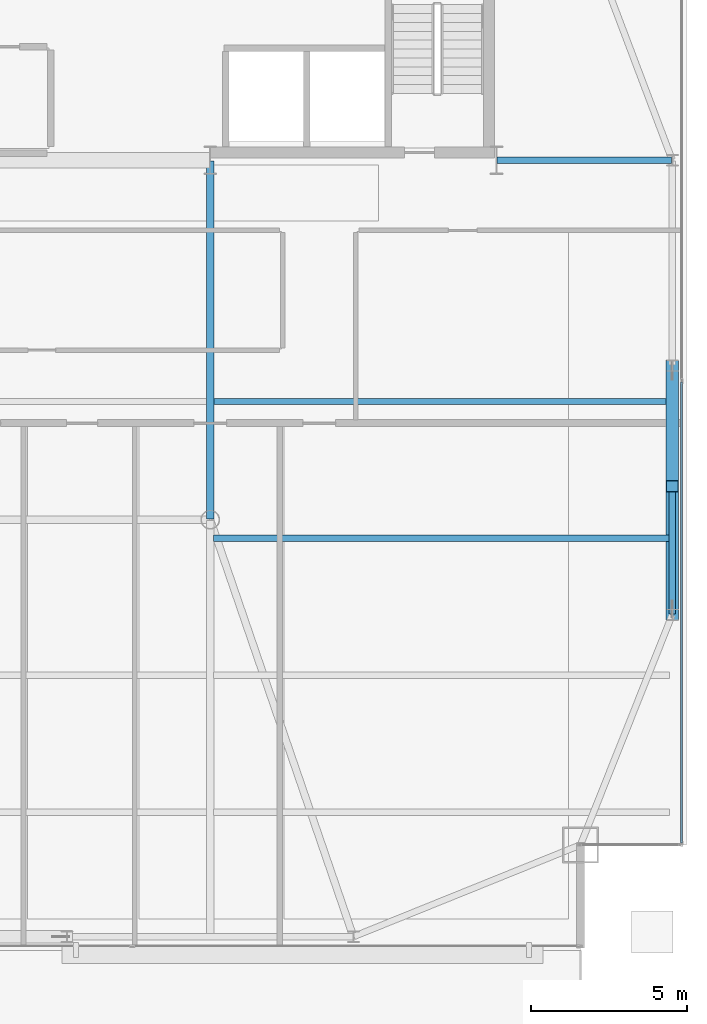
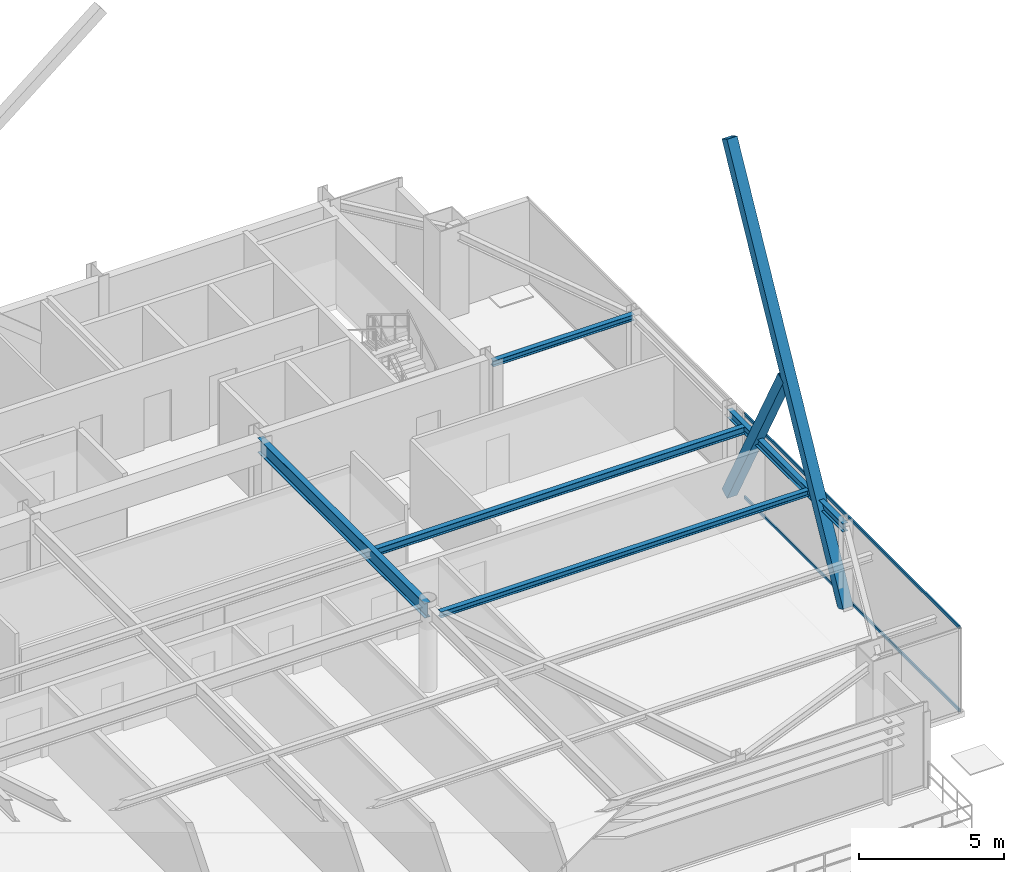
# One storey, part 19 of 33: 5 beams, 4 members, 1 element without a shape of its own.
"""IFC4 building model written with IfcOpenShell, lengths in metres."""

from ifc_helpers import new_model, si_unit, direction, frame, origin, origin_2d, place, context, subcontext, project, spatial, hollow_rectangle, i_section, extrude, source, transform, mapped, material, layer, layer_set, material_profile, profile_set, type_object, type_shapes, element, aggregate, save


model = new_model("IFC4")

# Units and contexts
model_context = context("Model", 3, precision=1e-05, world=origin(), true_north=direction((0.0, 1.0)))
body_context = subcontext(model_context, "Body", "Model", "MODEL_VIEW")
ifc_project = project(units=[si_unit("LENGTHUNIT", "METRE"), si_unit("AREAUNIT", "SQUARE_METRE"), si_unit("VOLUMEUNIT", "CUBIC_METRE"), si_unit("PLANEANGLEUNIT", "RADIAN"), si_unit("MASSUNIT", "GRAM", prefix="KILO")], contexts=[model_context])

# Site, building, storey
site_placement = place(None, origin())
site = spatial("IfcSite", under=ifc_project, at=site_placement, CompositionType="ELEMENT")
building_placement = place(site_placement, origin())
building = spatial("IfcBuilding", under=site, at=building_placement, Name="Varnel Quay Broadcast Tower", CompositionType="ELEMENT")
storey_placement = place(building_placement, frame((0.0, 0.0, 199.800048828125)))
storey = spatial("IfcBuildingStorey", under=building, at=storey_placement, Name="L49", CompositionType="ELEMENT", Elevation=199.800048828125)

# Beams
ifc_material_1 = material(Name="Structural Steel CSA G40.21 350W", Category="steel")
ifc_material_profile_1 = material_profile(ifc_material_1, i_section(OverallWidth=0.205078125, OverallDepth=0.35400390625, WebThickness=0.009521484375, FlangeThickness=0.016845703125, FilletRadius=0.012939453125, at=origin_2d()), Name="W360X79")
ifc_profile_set_1 = profile_set([ifc_material_profile_1], Name="Structural Steel CSA G40.21 350W")
beam_type_1 = type_object("IfcBeamType", Name="Beam_W360X79", PredefinedType="SPANDREL", material=ifc_profile_set_1)
shared_shape_1 = source(origin(), body_context, "Body", "SweptSolid", [
    extrude(i_section(OverallWidth=0.205078125, OverallDepth=0.35400390625, WebThickness=0.009521484375, FlangeThickness=0.016845703125, FilletRadius=0.012939453125, at=origin_2d()), origin(), (0.0, 0.0, 1.0), 7.9599609375),
])
type_shapes(beam_type_1, [shared_shape_1])
beam_1_placement = place(storey_placement, frame((58.050048828125, 21.02001953125, 3.373046875), z_axis=(0.0, 1.0, 0.0), x_axis=(-1.0, 0.0, 0.0)))
element("IfcBeam", 1, at=beam_1_placement, inside=storey, type_object=beam_type_1, Name="L49 East Spandrel TC-E1-TC-E2", PredefinedType="SPANDREL", context=body_context, shape_type="MappedRepresentation", body=[
    mapped(shared_shape_1, transform((0.0, 0.0, 0.0), x_axis=(1.0, 0.0, 0.0), y_axis=(0.0, 1.0, 0.0), z_axis=(0.0, 0.0, 1.0), scale=1.0)),
])
ifc_material_profile_2 = material_profile(ifc_material_1, i_section(OverallWidth=0.22998046875, OverallDepth=0.616943359375, WebThickness=0.01318359375, FlangeThickness=0.022216796875, FilletRadius=0.01611328125, at=origin_2d()), Name="W610X140")
ifc_profile_set_2 = profile_set([ifc_material_profile_2], Name="Structural Steel CSA G40.21 350W")
beam_type_2 = type_object("IfcBeamType", Name="Girder_W610X140", PredefinedType="BEAM", material=ifc_profile_set_2)
shared_shape_2 = source(origin(), body_context, "Body", "SweptSolid", [
    extrude(i_section(OverallWidth=0.22998046875, OverallDepth=0.616943359375, WebThickness=0.01318359375, FlangeThickness=0.022216796875, FilletRadius=0.01611328125, at=origin_2d()), origin(), (0.0, 0.0, 1.0), 11.510009765625),
])
type_shapes(beam_type_2, [shared_shape_2])
beam_2_placement = place(storey_placement, frame((43.199951171875, 24.070068359375, 3.241455078125), z_axis=(0.0, 1.0, 0.0), x_axis=(-1.0, 0.0, 0.0)))
element("IfcBeam", 2, at=beam_2_placement, inside=storey, type_object=beam_type_2, Name="L49 Primary Girder IC-02-CC-S4", PredefinedType="BEAM", context=body_context, shape_type="MappedRepresentation", body=[
    mapped(shared_shape_2, transform((0.0, 0.0, 0.0), x_axis=(1.0, 0.0, 0.0), y_axis=(0.0, 1.0, 0.0), z_axis=(0.0, 0.0, 1.0), scale=1.0)),
])
ifc_material_profile_3 = material_profile(ifc_material_1, i_section(OverallWidth=0.201904296875, OverallDepth=0.2470703125, WebThickness=0.00732421875, FlangeThickness=0.010986328125, FilletRadius=0.010986328125, at=origin_2d()), Name="W250X49")
ifc_profile_set_3 = profile_set([ifc_material_profile_3], Name="Structural Steel CSA G40.21 350W")
beam_type_3 = type_object("IfcBeamType", Name="Beam_W250X49", PredefinedType="JOIST", material=ifc_profile_set_3)
shared_shape_3 = source(origin(), body_context, "Body", "SweptSolid", [
    extrude(i_section(OverallWidth=0.201904296875, OverallDepth=0.2470703125, WebThickness=0.00732421875, FlangeThickness=0.010986328125, FilletRadius=0.010986328125, at=origin_2d()), origin(), (0.0, 0.0, 1.0), 5.610107421875),
])
beam_3_placement = place(storey_placement, frame((52.419921875, 35.60009765625, 3.426513671875), z_axis=(1.0, 0.0, 0.0), x_axis=(0.0, 1.0, 0.0)))
element("IfcBeam", 3, at=beam_3_placement, inside=storey, type_object=beam_type_3, Name="L49 East Core Tie Joist", PredefinedType="JOIST", context=body_context, shape_type="MappedRepresentation", body=[
    mapped(shared_shape_3, transform((0.0, 0.0, 0.0), x_axis=(1.0, 0.0, 0.0), y_axis=(0.0, 1.0, 0.0), z_axis=(0.0, 0.0, 1.0), scale=1.0)),
])
shared_shape_4 = source(origin(), body_context, "Body", "SweptSolid", [
    extrude(i_section(OverallWidth=0.201904296875, OverallDepth=0.2470703125, WebThickness=0.00732421875, FlangeThickness=0.010986328125, FilletRadius=0.010986328125, at=origin_2d()), origin(), (0.0, 0.0, 1.0), 14.642333984375),
])
type_shapes(beam_type_3, [shared_shape_3, shared_shape_4])
beam_4_placement = place(storey_placement, frame((43.31005859375, 23.449951171875, 3.426513671875), z_axis=(1.0, 0.0, 0.0), x_axis=(0.0, 1.0, 0.0)))
element("IfcBeam", 4, at=beam_4_placement, inside=storey, type_object=beam_type_3, Name="L49 East Floor Joist 3", PredefinedType="JOIST", context=body_context, shape_type="MappedRepresentation", body=[
    mapped(shared_shape_4, transform((0.0, 0.0, 0.0), x_axis=(1.0, 0.0, 0.0), y_axis=(0.0, 1.0, 0.0), z_axis=(0.0, 0.0, 1.0), scale=1.0)),
])
ifc_material_profile_4 = material_profile(ifc_material_1, i_section(OverallWidth=0.202880859375, OverallDepth=0.302978515625, WebThickness=0.007568359375, FlangeThickness=0.01318359375, FilletRadius=0.011962890625, at=origin_2d()), Name="W310X60")
ifc_profile_set_4 = profile_set([ifc_material_profile_4], Name="Structural Steel CSA G40.21 350W")
beam_type_4 = type_object("IfcBeamType", Name="Beam_W310X60", PredefinedType="JOIST", material=ifc_profile_set_4)
shared_shape_5 = source(origin(), body_context, "Body", "SweptSolid", [
    extrude(i_section(OverallWidth=0.202880859375, OverallDepth=0.302978515625, WebThickness=0.007568359375, FlangeThickness=0.01318359375, FilletRadius=0.011962890625, at=origin_2d()), origin(), (0.0, 0.0, 1.0), 14.642333984375),
])
type_shapes(beam_type_4, [shared_shape_5])
beam_5_placement = place(storey_placement, frame((43.31005859375, 27.85009765625, 3.3984375), z_axis=(1.0, 0.0, 0.0), x_axis=(0.0, 1.0, 0.0)))
element("IfcBeam", 5, at=beam_5_placement, inside=storey, type_object=beam_type_4, Name="L49 East Floor Joist 4", PredefinedType="JOIST", context=body_context, shape_type="MappedRepresentation", body=[
    mapped(shared_shape_5, transform((0.0, 0.0, 0.0), x_axis=(1.0, 0.0, 0.0), y_axis=(0.0, 1.0, 0.0), z_axis=(0.0, 0.0, 1.0), scale=1.0)),
])

# Members
ifc_material_profile_5 = material_profile(ifc_material_1, hollow_rectangle(XDim=0.406005859375, YDim=0.406005859375, WallThickness=0.01611328125, at=origin_2d()), Name="HSS406X406X16")
ifc_profile_set_5 = profile_set([ifc_material_profile_5], Name="Structural Steel CSA G40.21 350W")
member_type_1 = type_object("IfcMemberType", Name="Brace_HSS406X406X16", PredefinedType="BRACE", material=ifc_profile_set_5)
shared_shape_6 = source(origin(), body_context, "Body", "SweptSolid", [
    extrude(hollow_rectangle(XDim=0.406005859375, YDim=0.406005859375, WallThickness=0.01611328125, at=origin_2d()), origin(), (0.0, 0.0, 1.0), 16.920654296875),
])
member_1_placement = place(storey_placement, frame((58.050048828125, 21.0, 0.02001953125), z_axis=(0.0, 0.472797484609, 0.881171117631), x_axis=(-1.0, 0.0, 0.0)))
element("IfcMember", 6, at=member_1_placement, inside=storey, type_object=member_type_1, Name="Zone 4 Mega-Brace E-FT1 Continuous Diag A", PredefinedType="BRACE", context=body_context, shape_type="MappedRepresentation", body=[
    mapped(shared_shape_6, transform((0.0, 0.0, 0.0), x_axis=(1.0, 0.0, 0.0), y_axis=(0.0, 1.0, 0.0), z_axis=(0.0, 0.0, 1.0), scale=1.0)),
])
shared_shape_7 = source(origin(), body_context, "Body", "SweptSolid", [
    extrude(hollow_rectangle(XDim=0.406005859375, YDim=0.406005859375, WallThickness=0.01611328125, at=origin_2d()), origin(), (0.0, 0.0, 1.0), 8.191650390625),
])
type_shapes(member_type_1, [shared_shape_6, shared_shape_7])
member_2_placement = place(storey_placement, frame((58.050048828125, 29.0, 0.02001953125), z_axis=(0.0, -0.47280190134, 0.881168747794), x_axis=(1.0, 0.0, 0.0)))
element("IfcMember", 7, at=member_2_placement, inside=storey, type_object=member_type_1, Name="Zone 4 Mega-Brace E-FT1 Split Diag B1", PredefinedType="BRACE", context=body_context, shape_type="MappedRepresentation", body=[
    mapped(shared_shape_7, transform((0.0, 0.0, 0.0), x_axis=(1.0, 0.0, 0.0), y_axis=(0.0, 1.0, 0.0), z_axis=(0.0, 0.0, 1.0), scale=1.0)),
])

# Curtain wall, members
ifc_material_2 = material(Name="Anodised Bronze Aluminium 6063-T6", Category="aluminium")
ifc_layer = layer(ifc_material_2, 0.18994140625, Name="Anodised Bronze Aluminium 6063-T6")
ifc_layer_set = layer_set([ifc_layer], Name="Anodised Bronze Aluminium 6063-T6")
curtain_wall_type = type_object("IfcCurtainWallType", Name="CW_UpperTower", PredefinedType="NOTDEFINED", material=ifc_layer_set)
curtain_wall_placement = place(storey_placement, origin())
curtain_wall = element("IfcCurtainWall", 8, at=curtain_wall_placement, inside=storey, type_object=curtain_wall_type, Name="L49 East Unitised Curtain Wall", PredefinedType="NOTDEFINED")
ifc_material_profile_6 = material_profile(ifc_material_2, hollow_rectangle(XDim=0.06005859375, YDim=0.125, WallThickness=0.0029296875, at=origin_2d()), Name="ALU60X125X3")
ifc_profile_set_6 = profile_set([ifc_material_profile_6], Name="Anodised Bronze Aluminium 6063-T6")
member_type_2 = type_object("IfcMemberType", Name="Tran_CWS-03", PredefinedType="USERDEFINED", material=ifc_profile_set_6)
shared_shape_8 = source(origin(), body_context, "Body", "SweptSolid", [
    extrude(hollow_rectangle(XDim=0.06005859375, YDim=0.125, WallThickness=0.0029296875, at=origin_2d()), origin(), (0.0, 0.0, 1.0), 14.802490234375),
])
type_shapes(member_type_2, [shared_shape_8])
member_3_placement = place(storey_placement, frame((58.35009765625, 13.6650390625, 0.030029296875), z_axis=(0.0, 1.0, 0.0), x_axis=(-1.0, 0.0, 0.0)))
member_3 = element("IfcMember", 9, at=member_3_placement, type_object=member_type_2, Name="CWS-03 transom 1.1", ObjectType="TRANSOM", PredefinedType="USERDEFINED", context=body_context, shape_type="MappedRepresentation", body=[
    mapped(shared_shape_8, transform((0.0, 0.0, 0.0), x_axis=(1.0, 0.0, 0.0), y_axis=(0.0, 1.0, 0.0), z_axis=(0.0, 0.0, 1.0), scale=1.0)),
])
member_4_placement = place(storey_placement, frame((58.35009765625, 13.6650390625, 3.52001953125), z_axis=(0.0, 1.0, 0.0), x_axis=(-1.0, 0.0, 0.0)))
member_4 = element("IfcMember", 10, at=member_4_placement, type_object=member_type_2, Name="CWS-03 transom 1.2", ObjectType="TRANSOM", PredefinedType="USERDEFINED", context=body_context, shape_type="MappedRepresentation", body=[
    mapped(shared_shape_8, transform((0.0, 0.0, 0.0), x_axis=(1.0, 0.0, 0.0), y_axis=(0.0, 1.0, 0.0), z_axis=(0.0, 0.0, 1.0), scale=1.0)),
])
aggregate(curtain_wall, [member_3, member_4])

save(model, "model.ifc")
